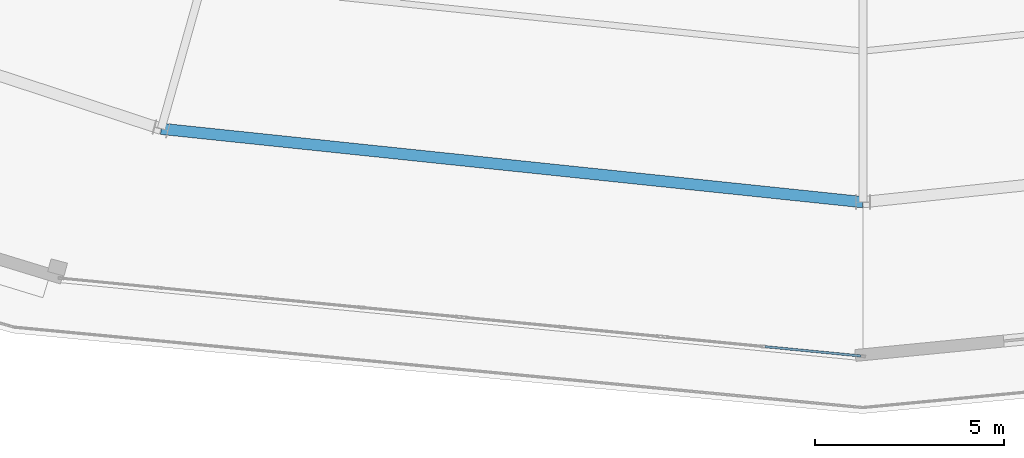
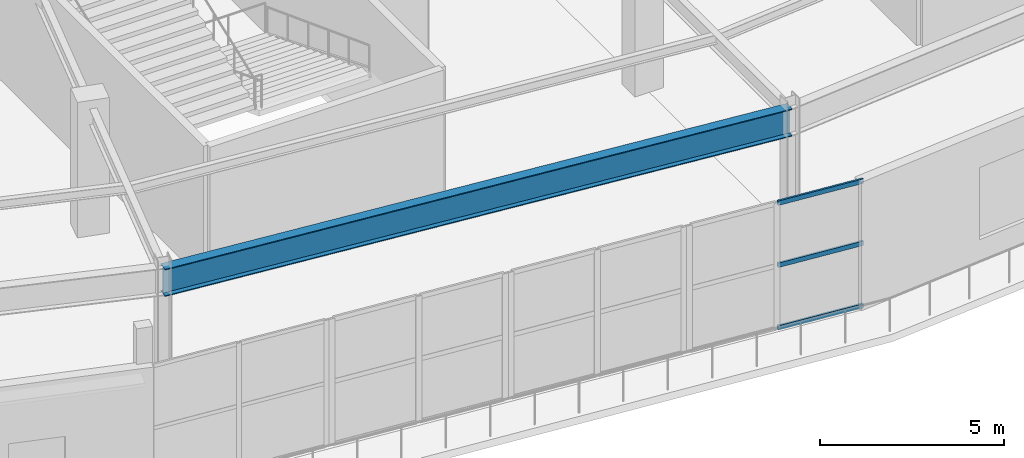
# One storey, part 31 of 123: 3 members, 1 beam, 1 element without a shape of its own.
"""IFC4 building model written with IfcOpenShell, lengths in metres."""

from ifc_helpers import new_model, si_unit, direction, frame, origin, origin_2d, place, context, subcontext, project, spatial, hollow_rectangle, i_section, extrude, material, layer, layer_set, material_profile, profile_set, type_object, element, aggregate, save


model = new_model("IFC4")

# Units and contexts
model_context = context("Model", 3, precision=1e-05, world=origin(), true_north=direction((0.0, 1.0)))
body_context = subcontext(model_context, "Body", "Model", "MODEL_VIEW")
ifc_project = project(units=[si_unit("LENGTHUNIT", "METRE"), si_unit("AREAUNIT", "SQUARE_METRE"), si_unit("VOLUMEUNIT", "CUBIC_METRE"), si_unit("PLANEANGLEUNIT", "RADIAN"), si_unit("MASSUNIT", "GRAM", prefix="KILO")], contexts=[model_context])

# Site, building, storey
site_placement = place(None, origin())
site = spatial("IfcSite", under=ifc_project, at=site_placement, CompositionType="ELEMENT")
building_placement = place(site_placement, origin())
building = spatial("IfcBuilding", under=site, at=building_placement, Name="Kalgoora Escarpment Arena", CompositionType="ELEMENT")
storey_placement = place(building_placement, frame((0.0, 0.0, 9.89990234375)))
storey = spatial("IfcBuildingStorey", under=building, at=storey_placement, Name="L02", CompositionType="ELEMENT", Elevation=9.89990234375)

# Beam
ifc_material_1 = material(Name="Structural steel Grade 350 (350 MPa)", Category="steel")
ifc_material_profile_1 = material_profile(ifc_material_1, i_section(OverallWidth=0.300048828125, OverallDepth=0.909912109375, WebThickness=0.011962890625, FlangeThickness=0.028076171875, at=origin_2d()))
ifc_profile_set_1 = profile_set([ifc_material_profile_1], Name="Structural steel Grade 350 (350 MPa)")
beam_type = type_object("IfcBeamType", Name="BM-SPANDREL-900WB218", PredefinedType="SPANDREL", material=ifc_profile_set_1)
beam_placement = place(storey_placement, frame((73.81689453125, 8.942138671875, 3.72509765625), z_axis=(0.994583005347, -0.103945396599, 0.0), x_axis=(0.103945396599, 0.994583005347, 0.0)))
element("IfcBeam", 1, at=beam_placement, inside=storey, type_object=beam_type, Name="L02 Circumferential concourse girder RCONC2 900WB218", PredefinedType="SPANDREL", context=body_context, shape_type="SweptSolid", body=[
    extrude(i_section(OverallWidth=0.300048828125, OverallDepth=0.909912109375, WebThickness=0.011962890625, FlangeThickness=0.028076171875, at=origin_2d()), origin(), (0.0, 0.0, 1.0), 18.684326171875),
])

# Curtain wall, members
ifc_material_2 = material(Name=" Champagne anodised aluminium & double-glazed low-E", Category="aluminium")
ifc_layer = layer(ifc_material_2, 0.162109375)
ifc_layer_set = layer_set([ifc_layer], Name="CW-UNIT-08")
curtain_wall_type = type_object("IfcCurtainWallType", Name="CW-UNIT-08", PredefinedType="NOTDEFINED", material=ifc_layer_set)
curtain_wall_placement = place(storey_placement, origin())
curtain_wall = element("IfcCurtainWall", 2, at=curtain_wall_placement, inside=storey, type_object=curtain_wall_type, Name="L02 unitised facade curtain wall 047", PredefinedType="NOTDEFINED")
ifc_material_3 = material(Name="Anodised aluminium 6063-T6", Category="aluminium")
ifc_material_profile_2 = material_profile(ifc_material_3, hollow_rectangle(XDim=0.06005859375, YDim=0.14990234375, WallThickness=0.00341796875, at=origin_2d()))
ifc_profile_set_2 = profile_set([ifc_material_profile_2], Name="Anodised aluminium 6063-T6")
member_type = type_object("IfcMemberType", Name="MEM-CW-TRAN-150", PredefinedType="USERDEFINED", material=ifc_profile_set_2)
member_1_placement = place(storey_placement, frame((92.346923828125, 2.92578125, 0.050048828125), z_axis=(-0.995301908054, 0.096819997021, 0.0), x_axis=(-0.096819997021, -0.995301908054, 0.0)))
member_1 = element("IfcMember", 3, at=member_1_placement, type_object=member_type, Name="CW-08 transom 1.1", ObjectType="TRANSOM", PredefinedType="USERDEFINED", context=body_context, shape_type="SweptSolid", body=[
    extrude(hollow_rectangle(XDim=0.06005859375, YDim=0.14990234375, WallThickness=0.00341796875, at=origin_2d()), origin(), (0.0, 0.0, 1.0), 2.54931640625),
])
member_2_placement = place(storey_placement, frame((92.346923828125, 2.92578125, 2.132568359375), z_axis=(-0.995301908054, 0.096819997021, 0.0), x_axis=(-0.096819997021, -0.995301908054, 0.0)))
member_2 = element("IfcMember", 4, at=member_2_placement, type_object=member_type, Name="CW-08 transom 1.2", ObjectType="TRANSOM", PredefinedType="USERDEFINED", context=body_context, shape_type="SweptSolid", body=[
    extrude(hollow_rectangle(XDim=0.06005859375, YDim=0.14990234375, WallThickness=0.00341796875, at=origin_2d()), origin(), (0.0, 0.0, 1.0), 2.54931640625),
])
member_3_placement = place(storey_placement, frame((92.346923828125, 2.92578125, 4.195068359375), z_axis=(-0.995301908054, 0.096819997021, 0.0), x_axis=(-0.096819997021, -0.995301908054, 0.0)))
member_3 = element("IfcMember", 5, at=member_3_placement, type_object=member_type, Name="CW-08 transom 1.3", ObjectType="TRANSOM", PredefinedType="USERDEFINED", context=body_context, shape_type="SweptSolid", body=[
    extrude(hollow_rectangle(XDim=0.06005859375, YDim=0.14990234375, WallThickness=0.00341796875, at=origin_2d()), origin(), (0.0, 0.0, 1.0), 2.54931640625),
])
aggregate(curtain_wall, [member_1, member_2, member_3])

save(model, "model.ifc")
